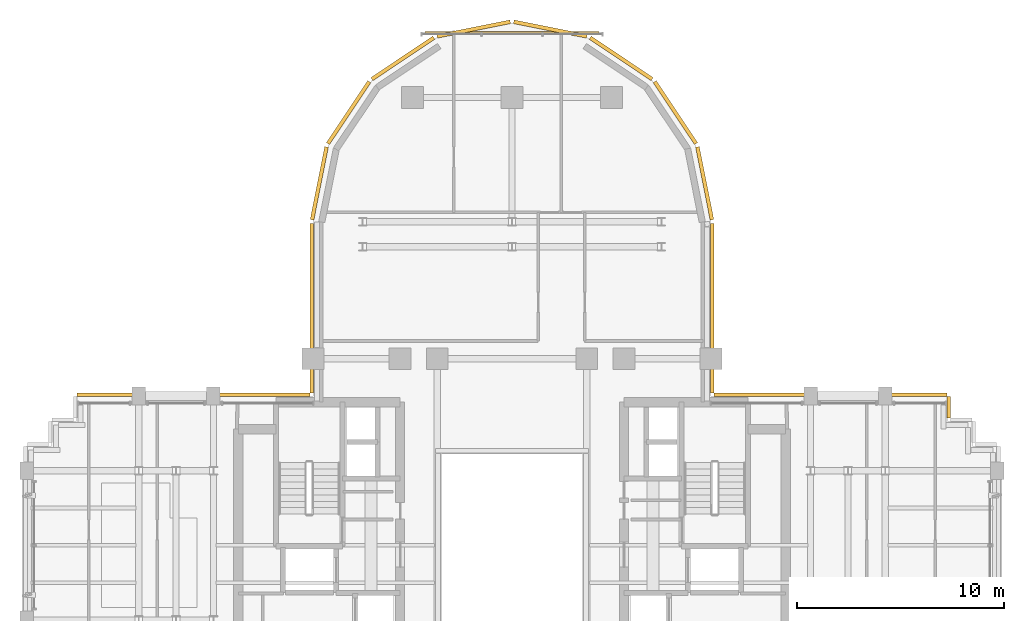
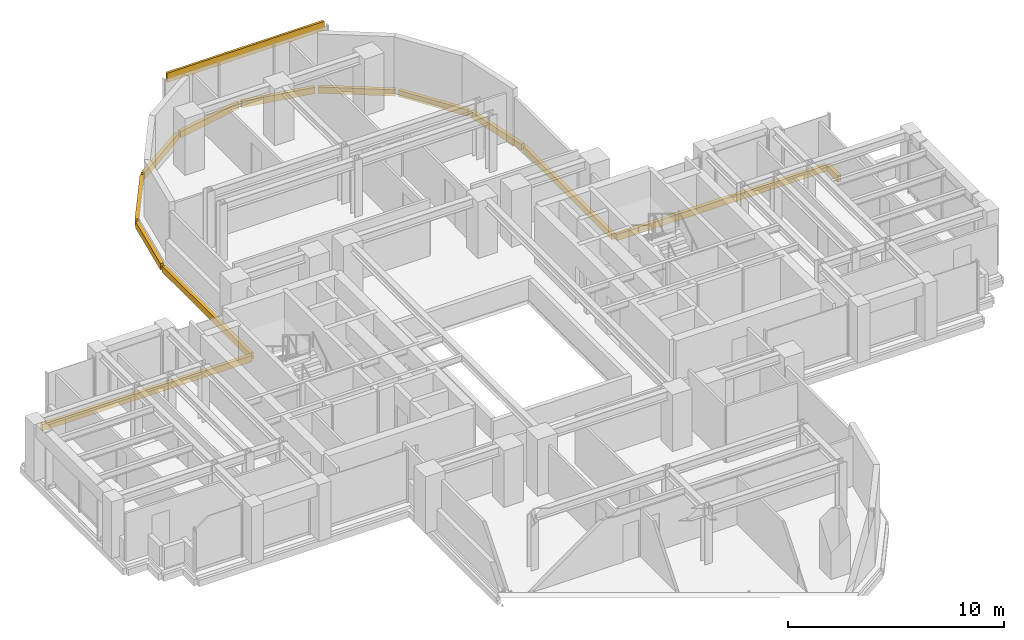
# One storey, part 14 of 14: 14 coverings.
"""IFC4 building model written with IfcOpenShell, lengths in metres."""

from ifc_helpers import new_model, si_unit, direction, frame, origin, origin_2d, place, context, subcontext, project, spatial, rectangle, extrude, source, transform, mapped, material, layer, layer_set, type_object, element, save


model = new_model("IFC4")

# Units and contexts
model_context = context("Model", 3, precision=1e-05, world=origin(), true_north=direction((0.0, 1.0)))
body_context = subcontext(model_context, "Body", "Model", "MODEL_VIEW")
ifc_project = project(units=[si_unit("LENGTHUNIT", "METRE"), si_unit("AREAUNIT", "SQUARE_METRE"), si_unit("VOLUMEUNIT", "CUBIC_METRE"), si_unit("PLANEANGLEUNIT", "RADIAN"), si_unit("MASSUNIT", "GRAM", prefix="KILO")], contexts=[model_context])

# Site, building, storey
site_placement = place(None, origin())
site = spatial("IfcSite", under=ifc_project, at=site_placement, CompositionType="ELEMENT")
building_placement = place(site_placement, origin())
building = spatial("IfcBuilding", under=site, at=building_placement, Name="Keilestroom Media Tower", CompositionType="ELEMENT")
storey_placement = place(building_placement, frame((0.0, 0.0, 121.0)))
storey = spatial("IfcBuildingStorey", under=building, at=storey_placement, Name="L32", CompositionType="ELEMENT", Elevation=121.0)

# Coverings
ifc_material = material(Name="Precast concrete C40/50", Category="concrete")
ifc_layer = layer(ifc_material, 0.1201171875)
ifc_layer_set = layer_set([ifc_layer], Name="Precast concrete C40/50")
covering_type = type_object("IfcCoveringType", Name="Exterior-Precast-Spandrel-Cladding-Panel-120", PredefinedType="CLADDING", material=ifc_layer_set)
shared_shape_1 = source(origin(), body_context, "Body", "SweptSolid", [
    extrude(rectangle(XDim=8.39990234375, YDim=0.1201171875, at=origin_2d()), origin(), (0.0, 0.0, 1.0), 0.52001953125),
])
covering_1_placement = place(storey_placement, frame((0.0, 24.719970703125, 2.68994140625), z_axis=(0.0, 0.0, 1.0), x_axis=(1.0, 0.0, 0.0)))
element("IfcCovering", 1, at=covering_1_placement, inside=storey, type_object=covering_type, Name="L32 Precast Spandrel Cladding N", PredefinedType="CLADDING", context=body_context, shape_type="MappedRepresentation", body=[
    mapped(shared_shape_1, transform((0.0, 0.0, 0.0), x_axis=(1.0, 0.0, 0.0), y_axis=(0.0, 1.0, 0.0), z_axis=(0.0, 0.0, 1.0), scale=1.0)),
])
shared_shape_2 = source(origin(), body_context, "Body", "SweptSolid", [
    extrude(rectangle(XDim=1.02001953125, YDim=0.179931640625, at=origin_2d()), origin(), (0.0, 0.0, 1.0), 0.360107421875),
])
covering_2_placement = place(storey_placement, frame((21.06005859375, 6.659912109375, -0.5400390625), z_axis=(0.0, 0.0, 1.0), x_axis=(0.0, -1.0, 0.0)))
element("IfcCovering", 2, at=covering_2_placement, inside=storey, type_object=covering_type, Name="L32 Precast Slab-Edge Fascia Cornice 38", PredefinedType="CLADDING", context=body_context, shape_type="MappedRepresentation", body=[
    mapped(shared_shape_2, transform((0.0, 0.0, 0.0), x_axis=(1.0, 0.0, 0.0), y_axis=(0.0, 1.0, 0.0), z_axis=(0.0, 0.0, 1.0), scale=1.0)),
])
shared_shape_3 = source(origin(), body_context, "Body", "SweptSolid", [
    extrude(rectangle(XDim=8.166015625, YDim=0.179931640625, at=origin_2d()), origin(), (0.0, 0.0, 1.0), 0.360107421875),
])
for number, where, z_axis, x_axis, name in (
    (3, (-9.659912109375, 11.43310546875, -0.5400390625), (0.0, 0.0, 1.0), (0.0, 1.0, 0.0), "L32 Precast Slab-Edge Fascia Cornice 27"),
    (4, (9.659912109375, 11.43310546875, -0.5400390625), (0.0, 0.0, 1.0), (0.0, -1.0, 0.0), "L32 Precast Slab-Edge Fascia Cornice 36"),
):
    element("IfcCovering", number, at=place(storey_placement, frame(where, z_axis=z_axis, x_axis=x_axis)), inside=storey, type_object=covering_type, Name=name, PredefinedType="CLADDING", context=body_context, shape_type="MappedRepresentation", body=[
        mapped(shared_shape_3, transform((0.0, 0.0, 0.0), x_axis=(1.0, 0.0, 0.0), y_axis=(0.0, 1.0, 0.0), z_axis=(0.0, 0.0, 1.0), scale=1.0)),
    ])
shared_shape_4 = source(origin(), body_context, "Body", "SweptSolid", [
    extrude(rectangle(XDim=3.58349609375, YDim=0.179931640625, at=origin_2d()), origin(), (0.0, 0.0, 1.0), 0.360107421875),
])
for number, where, z_axis, x_axis, name in (
    (5, (-9.29296875, 17.45166015625, -0.5400390625), (0.0, 0.0, 1.0), (0.195098880975, 0.980783577882, 0.0), "L32 Precast Slab-Edge Fascia Cornice 28"),
    (6, (9.29296875, 17.45166015625, -0.5400390625), (0.0, 0.0, 1.0), (0.195098880975, -0.980783577882, 0.0), "L32 Precast Slab-Edge Fascia Cornice 35"),
):
    element("IfcCovering", number, at=place(storey_placement, frame(where, z_axis=z_axis, x_axis=x_axis)), inside=storey, type_object=covering_type, Name=name, PredefinedType="CLADDING", context=body_context, shape_type="MappedRepresentation", body=[
        mapped(shared_shape_4, transform((0.0, 0.0, 0.0), x_axis=(1.0, 0.0, 0.0), y_axis=(0.0, 1.0, 0.0), z_axis=(0.0, 0.0, 1.0), scale=1.0)),
    ])
shared_shape_5 = source(origin(), body_context, "Body", "SweptSolid", [
    extrude(rectangle(XDim=3.589599609375, YDim=0.179931640625, at=origin_2d()), origin(), (0.0, 0.0, 1.0), 0.360107421875),
])
for number, where, z_axis, x_axis, name in (
    (7, (-7.878662109375, 20.8642578125, -0.5400390625), (0.0, 0.0, 1.0), (0.555574586577, 0.831466703332, 0.0), "L32 Precast Slab-Edge Fascia Cornice 29"),
    (8, (-5.264404296875, 23.478515625, -0.5400390625), (0.0, 0.0, 1.0), (0.831466703332, 0.555574586577, 0.0), "L32 Precast Slab-Edge Fascia Cornice 30"),
    (9, (-1.8486328125, 24.893310546875, -0.5400390625), (0.0, 0.0, 1.0), (0.980783577882, 0.195098880975, 0.0), "L32 Precast Slab-Edge Fascia Cornice 31"),
    (10, (1.8486328125, 24.893310546875, -0.5400390625), (0.0, 0.0, 1.0), (0.980783577882, -0.195098880975, 0.0), "L32 Precast Slab-Edge Fascia Cornice 32"),
    (11, (5.264404296875, 23.478515625, -0.5400390625), (0.0, 0.0, 1.0), (0.831466703332, -0.555574586577, 0.0), "L32 Precast Slab-Edge Fascia Cornice 33"),
    (12, (7.878662109375, 20.8642578125, -0.5400390625), (0.0, 0.0, 1.0), (0.555574586577, -0.831466703332, 0.0), "L32 Precast Slab-Edge Fascia Cornice 34"),
):
    element("IfcCovering", number, at=place(storey_placement, frame(where, z_axis=z_axis, x_axis=x_axis)), inside=storey, type_object=covering_type, Name=name, PredefinedType="CLADDING", context=body_context, shape_type="MappedRepresentation", body=[
        mapped(shared_shape_5, transform((0.0, 0.0, 0.0), x_axis=(1.0, 0.0, 0.0), y_axis=(0.0, 1.0, 0.0), z_axis=(0.0, 0.0, 1.0), scale=1.0)),
    ])
shared_shape_6 = source(origin(), body_context, "Body", "SweptSolid", [
    extrude(rectangle(XDim=11.219970703125, YDim=0.179931640625, at=origin_2d()), origin(), (0.0, 0.0, 1.0), 0.360107421875),
])
for number, where, z_axis, x_axis, name in (
    (13, (-15.360107421875, 7.260009765625, -0.5400390625), (0.0, 0.0, 1.0), (1.0, 0.0, 0.0), "L32 Precast Slab-Edge Fascia Cornice 26"),
    (14, (15.360107421875, 7.260009765625, -0.5400390625), (0.0, 0.0, 1.0), (1.0, 0.0, 0.0), "L32 Precast Slab-Edge Fascia Cornice 37"),
):
    element("IfcCovering", number, at=place(storey_placement, frame(where, z_axis=z_axis, x_axis=x_axis)), inside=storey, type_object=covering_type, Name=name, PredefinedType="CLADDING", context=body_context, shape_type="MappedRepresentation", body=[
        mapped(shared_shape_6, transform((0.0, 0.0, 0.0), x_axis=(1.0, 0.0, 0.0), y_axis=(0.0, 1.0, 0.0), z_axis=(0.0, 0.0, 1.0), scale=1.0)),
    ])

save(model, "model.ifc")
